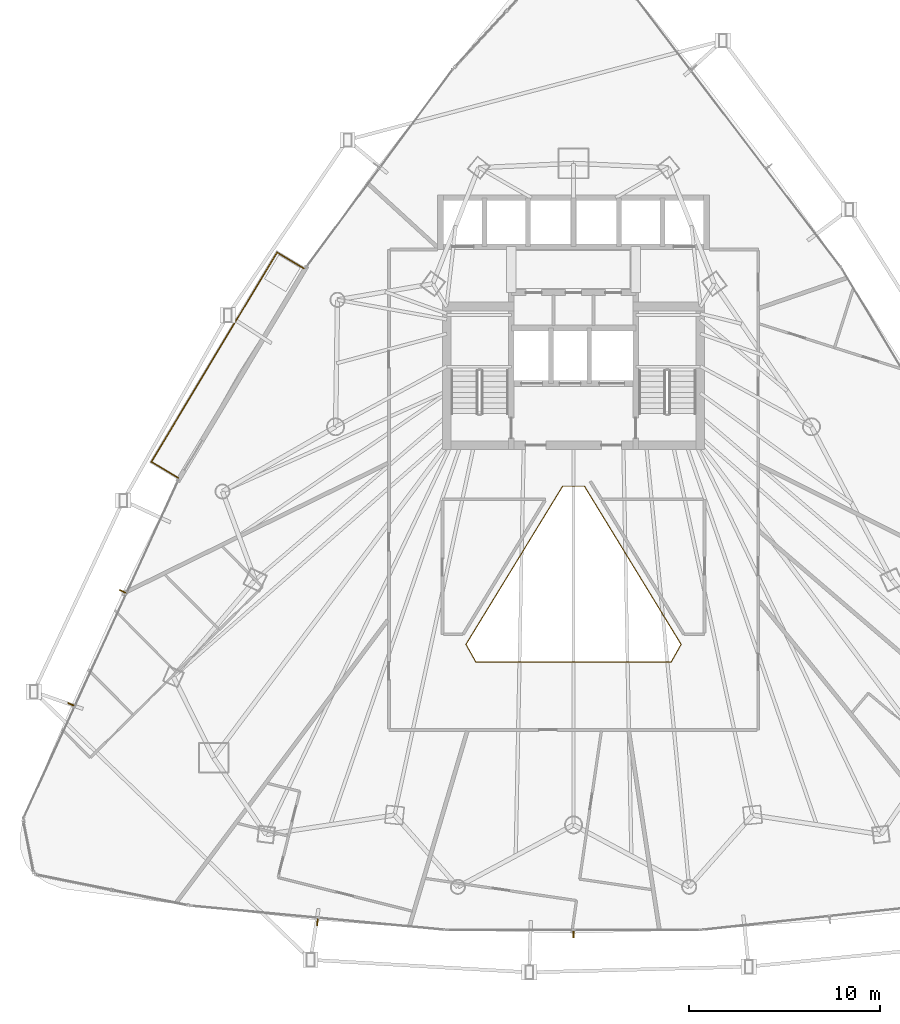
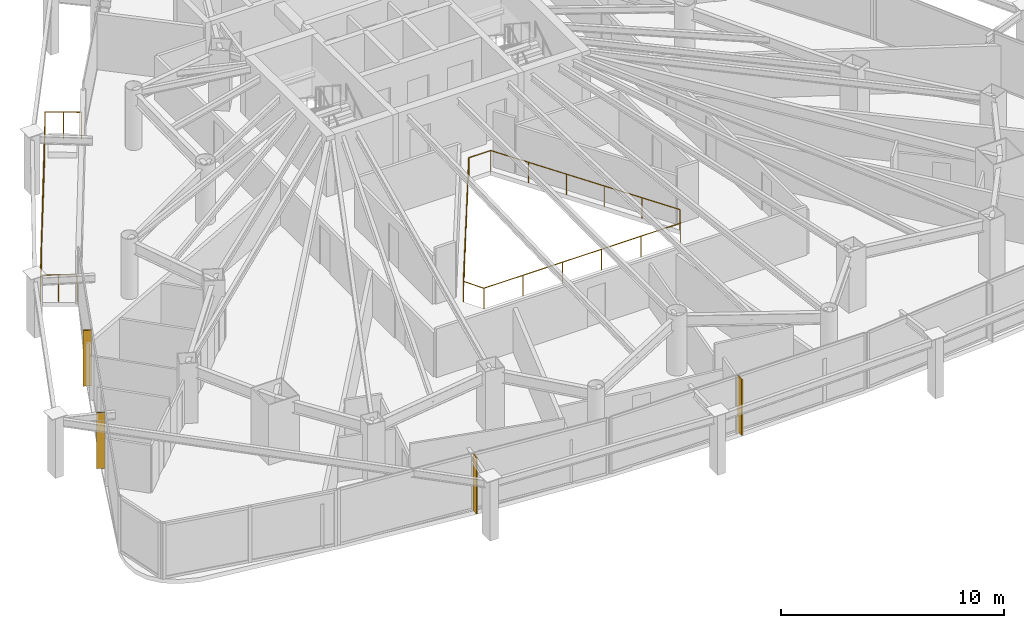
# One storey, part 32 of 35: 4 shading devices, 2 railings.
"""IFC4 building model written with IfcOpenShell, lengths in metres."""

from ifc_helpers import new_model, si_unit, direction, frame, origin, origin_2d, place, context, subcontext, project, spatial, rectangle, circle, extrude, material, layer, layer_set, type_object, element, save


model = new_model("IFC4")

# Units and contexts
model_context = context("Model", 3, precision=1e-05, world=origin(), true_north=direction((0.0, 1.0)))
body_context = subcontext(model_context, "Body", "Model", "MODEL_VIEW")
ifc_project = project(units=[si_unit("LENGTHUNIT", "METRE"), si_unit("AREAUNIT", "SQUARE_METRE"), si_unit("VOLUMEUNIT", "CUBIC_METRE"), si_unit("PLANEANGLEUNIT", "RADIAN"), si_unit("MASSUNIT", "GRAM", prefix="KILO")], contexts=[model_context])

# Site, building, storey
site_placement = place(None, origin())
site = spatial("IfcSite", under=ifc_project, at=site_placement, CompositionType="ELEMENT")
building_placement = place(site_placement, origin())
building = spatial("IfcBuilding", under=site, at=building_placement, Name="Orvanel Arch Residences", CompositionType="ELEMENT")
storey_placement = place(building_placement, frame((0.0, 0.0, 40.10009765625)))
storey = spatial("IfcBuildingStorey", under=building, at=storey_placement, Name="L10", CompositionType="ELEMENT", Elevation=40.10009765625)

# Shading devices
ifc_material = material(Name="Bronze-anodised aluminium AA6063-T6", Category="aluminium")
ifc_layer = layer(ifc_material, 0.06005859375)
ifc_layer_set = layer_set([ifc_layer], Name="Bronze-anodised aluminium AA6063-T6")
shading_device_type = type_object("IfcShadingDeviceType", Name="FIN-BRZ-380", PredefinedType="USERDEFINED", material=ifc_layer_set)
for number, where, z_axis, x_axis, name in (
    (1, (9.4541015625, 19.035888671875, -0.000244140625), (0.0, 0.0, 1.0), (-0.909236109047, 0.41628079226, 0.0), "L10 Anodised Bronze Mullion FIN 01"),
    (2, (6.751953125, 13.137939453125, -0.000244140625), (0.0, 0.0, 1.0), (-0.909236109047, 0.41628079226, 0.0), "L10 Anodised Bronze Mullion FIN 02"),
    (3, (19.6240234375, 1.77099609375, -0.000244140625), (0.0, 0.0, 1.0), (-0.094108313319, -0.995561964603, 0.0), "L10 Anodised Bronze Mullion FIN 01"),
    (4, (33.0, 1.138916015625, -0.000244140625), (0.0, 0.0, 1.0), (0.0, -1.0, 0.0), "L10 Anodised Bronze Mullion FIN 01"),
):
    element("IfcShadingDevice", number, at=place(storey_placement, frame(where, z_axis=z_axis, x_axis=x_axis)), inside=storey, type_object=shading_device_type, Name=name, ObjectType="FIN", PredefinedType="USERDEFINED", context=body_context, shape_type="SweptSolid", body=[
        extrude(rectangle(XDim=0.3798828125, YDim=0.06005859375, at=origin_2d()), origin(), (0.0, 0.0, 1.0), 3.06005859375),
    ])

# Railings
railing_type_1 = type_object("IfcRailingType", Name="RL-ATR-1150", PredefinedType="BALUSTRADE", material=ifc_material)
railing_1_placement = place(storey_placement, frame((33.569091796875, 24.531005859375, 0.0)))
element("IfcRailing", 5, at=railing_1_placement, inside=storey, type_object=railing_type_1, Name="L10 Atrium Void Protective Balustrade", PredefinedType="BALUSTRADE", context=body_context, shape_type="SweptSolid", body=[
    extrude(circle(Radius=0.02392578125, at=origin_2d()), frame((-0.00146484375, 0.0, 1.1259765625), z_axis=(-1.0, 0.0, 0.0), x_axis=(0.0, -1.0, 0.0)), (0.0, 0.0, 1.0), 1.13525390625),
    extrude(circle(Radius=0.02392578125, at=origin_2d()), frame((-1.138916015625, -0.001220703125, 1.1259765625), z_axis=(-0.521544896267, -0.853223840019, 0.0), x_axis=(0.853223840019, -0.521544896267, 0.0)), (0.0, 0.0, 1.0), 9.675537109375),
    extrude(circle(Radius=0.02392578125, at=origin_2d()), frame((-6.185302734375, -8.25927734375, 1.1259765625), z_axis=(0.489076966269, -0.872240632546, 0.0), x_axis=(0.872240632546, 0.489076966269, 0.0)), (0.0, 0.0, 1.0), 1.064208984375),
    extrude(circle(Radius=0.02392578125, at=origin_2d()), frame((-5.66259765625, -9.18896484375, 1.1259765625), z_axis=(1.0, 0.0, 0.0), x_axis=(0.0, 1.0, 0.0)), (0.0, 0.0, 1.0), 10.18701171875),
    extrude(circle(Radius=0.02392578125, at=origin_2d()), frame((4.526611328125, -9.187744140625, 1.1259765625), z_axis=(0.489076966269, 0.872240632546, 0.0), x_axis=(-0.872240632546, 0.489076966269, 0.0)), (0.0, 0.0, 1.0), 1.064208984375),
    extrude(circle(Radius=0.02392578125, at=origin_2d()), frame((5.047119140625, -8.2568359375, 1.1259765625), z_axis=(-0.521544896267, 0.853223840019, 0.0), x_axis=(-0.853223840019, -0.521544896267, 0.0)), (0.0, 0.0, 1.0), 9.675537109375),
    extrude(circle(Radius=0.02099609375, at=origin_2d()), origin(), (0.0, 0.0, 1.0), 1.099853515625),
    extrude(circle(Radius=0.02099609375, at=origin_2d()), frame((-1.13818359375, 0.0, 0.0)), (0.0, 0.0, 1.0), 1.099853515625),
    extrude(circle(Radius=0.02099609375, at=origin_2d()), frame((-2.147705078125, -1.651611328125, 0.0)), (0.0, 0.0, 1.0), 1.099853515625),
    extrude(circle(Radius=0.02099609375, at=origin_2d()), frame((-3.1572265625, -3.30322265625, 0.0)), (0.0, 0.0, 1.0), 1.099853515625),
    extrude(circle(Radius=0.02099609375, at=origin_2d()), frame((-4.1669921875, -4.954833984375, 0.0)), (0.0, 0.0, 1.0), 1.099853515625),
    extrude(circle(Radius=0.02099609375, at=origin_2d()), frame((-5.176513671875, -6.6064453125, 0.0)), (0.0, 0.0, 1.0), 1.099853515625),
    extrude(circle(Radius=0.02099609375, at=origin_2d()), frame((-6.18603515625, -8.258056640625, 0.0)), (0.0, 0.0, 1.0), 1.099853515625),
    extrude(circle(Radius=0.02099609375, at=origin_2d()), frame((-5.6640625, -9.18896484375, 0.0)), (0.0, 0.0, 1.0), 1.099853515625),
    extrude(circle(Radius=0.02099609375, at=origin_2d()), frame((-3.6259765625, -9.18896484375, 0.0)), (0.0, 0.0, 1.0), 1.099853515625),
    extrude(circle(Radius=0.02099609375, at=origin_2d()), frame((-1.588134765625, -9.18896484375, 0.0)), (0.0, 0.0, 1.0), 1.099853515625),
    extrude(circle(Radius=0.02099609375, at=origin_2d()), frame((0.449951171875, -9.18896484375, 0.0)), (0.0, 0.0, 1.0), 1.099853515625),
    extrude(circle(Radius=0.02099609375, at=origin_2d()), frame((2.48779296875, -9.18896484375, 0.0)), (0.0, 0.0, 1.0), 1.099853515625),
    extrude(circle(Radius=0.02099609375, at=origin_2d()), frame((4.52587890625, -9.18896484375, 0.0)), (0.0, 0.0, 1.0), 1.099853515625),
    extrude(circle(Radius=0.02099609375, at=origin_2d()), frame((5.0478515625, -8.258056640625, 0.0)), (0.0, 0.0, 1.0), 1.099853515625),
    extrude(circle(Radius=0.02099609375, at=origin_2d()), frame((4.038330078125, -6.6064453125, 0.0)), (0.0, 0.0, 1.0), 1.099853515625),
    extrude(circle(Radius=0.02099609375, at=origin_2d()), frame((3.02880859375, -4.954833984375, 0.0)), (0.0, 0.0, 1.0), 1.099853515625),
    extrude(circle(Radius=0.02099609375, at=origin_2d()), frame((2.01904296875, -3.30322265625, 0.0)), (0.0, 0.0, 1.0), 1.099853515625),
    extrude(circle(Radius=0.02099609375, at=origin_2d()), frame((1.009521484375, -1.651611328125, 0.0)), (0.0, 0.0, 1.0), 1.099853515625),
])
railing_type_2 = type_object("IfcRailingType", Name="RL-BAL-1480", PredefinedType="BALUSTRADE", material=ifc_material)
railing_2_placement = place(storey_placement, frame((18.916015625, 35.906005859375, 0.0)))
element("IfcRailing", 6, at=railing_2_placement, inside=storey, type_object=railing_type_2, Name="L10 Balcony Perimeter Guardrail Face 1", PredefinedType="BALUSTRADE", context=body_context, shape_type="SweptSolid", body=[
    extrude(circle(Radius=0.02392578125, at=origin_2d()), frame((-0.001220703125, 0.000732421875, 1.4560546875), z_axis=(-0.857387817543, 0.514670895164, 0.0), x_axis=(-0.514670895164, -0.857387817543, 0.0)), (0.0, 0.0, 1.0), 1.636962890625),
    extrude(circle(Radius=0.02392578125, at=origin_2d()), frame((-1.40673828125, 0.8427734375, 1.4560546875), z_axis=(-0.51437478846, -0.85756549429, 0.0), x_axis=(0.85756549429, -0.51437478846, 0.0)), (0.0, 0.0, 1.0), 12.760009765625),
    extrude(circle(Radius=0.02392578125, at=origin_2d()), frame((-7.9697265625, -10.101806640625, 1.4560546875), z_axis=(0.857545439568, -0.514408222208, 0.0), x_axis=(0.514408222208, 0.857545439568, 0.0)), (0.0, 0.0, 1.0), 1.6376953125),
    extrude(circle(Radius=0.02099609375, at=origin_2d()), origin(), (0.0, 0.0, 1.0), 1.429931640625),
    extrude(circle(Radius=0.02099609375, at=origin_2d()), frame((-0.703125, 0.421875, 0.0)), (0.0, 0.0, 1.0), 1.429931640625),
    extrude(circle(Radius=0.02099609375, at=origin_2d()), frame((-1.406005859375, 0.843994140625, 0.0)), (0.0, 0.0, 1.0), 1.429931640625),
    extrude(circle(Radius=0.02099609375, at=origin_2d()), frame((-2.0029296875, -0.151123046875, 0.0)), (0.0, 0.0, 1.0), 1.429931640625),
    extrude(circle(Radius=0.02099609375, at=origin_2d()), frame((-2.599609375, -1.14599609375, 0.0)), (0.0, 0.0, 1.0), 1.429931640625),
    extrude(circle(Radius=0.02099609375, at=origin_2d()), frame((-3.196533203125, -2.14111328125, 0.0)), (0.0, 0.0, 1.0), 1.429931640625),
    extrude(circle(Radius=0.02099609375, at=origin_2d()), frame((-3.793212890625, -3.135986328125, 0.0)), (0.0, 0.0, 1.0), 1.429931640625),
    extrude(circle(Radius=0.02099609375, at=origin_2d()), frame((-4.39013671875, -4.131103515625, 0.0)), (0.0, 0.0, 1.0), 1.429931640625),
    extrude(circle(Radius=0.02099609375, at=origin_2d()), frame((-4.98681640625, -5.1259765625, 0.0)), (0.0, 0.0, 1.0), 1.429931640625),
    extrude(circle(Radius=0.02099609375, at=origin_2d()), frame((-5.583740234375, -6.12109375, 0.0)), (0.0, 0.0, 1.0), 1.429931640625),
    extrude(circle(Radius=0.02099609375, at=origin_2d()), frame((-6.180419921875, -7.115966796875, 0.0)), (0.0, 0.0, 1.0), 1.429931640625),
    extrude(circle(Radius=0.02099609375, at=origin_2d()), frame((-6.77734375, -8.111083984375, 0.0)), (0.0, 0.0, 1.0), 1.429931640625),
    extrude(circle(Radius=0.02099609375, at=origin_2d()), frame((-7.3740234375, -9.10595703125, 0.0)), (0.0, 0.0, 1.0), 1.429931640625),
    extrude(circle(Radius=0.02099609375, at=origin_2d()), frame((-7.970947265625, -10.10107421875, 0.0)), (0.0, 0.0, 1.0), 1.429931640625),
    extrude(circle(Radius=0.02099609375, at=origin_2d()), frame((-7.267578125, -10.52294921875, 0.0)), (0.0, 0.0, 1.0), 1.429931640625),
    extrude(circle(Radius=0.02099609375, at=origin_2d()), frame((-6.56396484375, -10.945068359375, 0.0)), (0.0, 0.0, 1.0), 1.429931640625),
])

save(model, "model.ifc")
